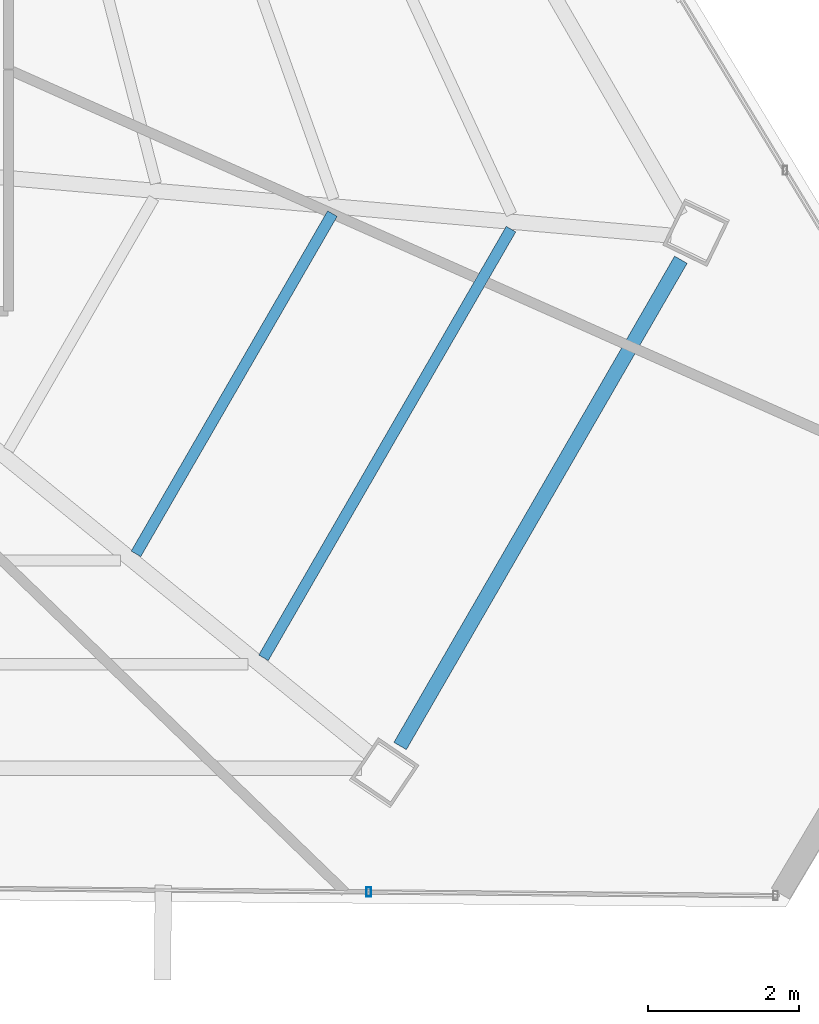
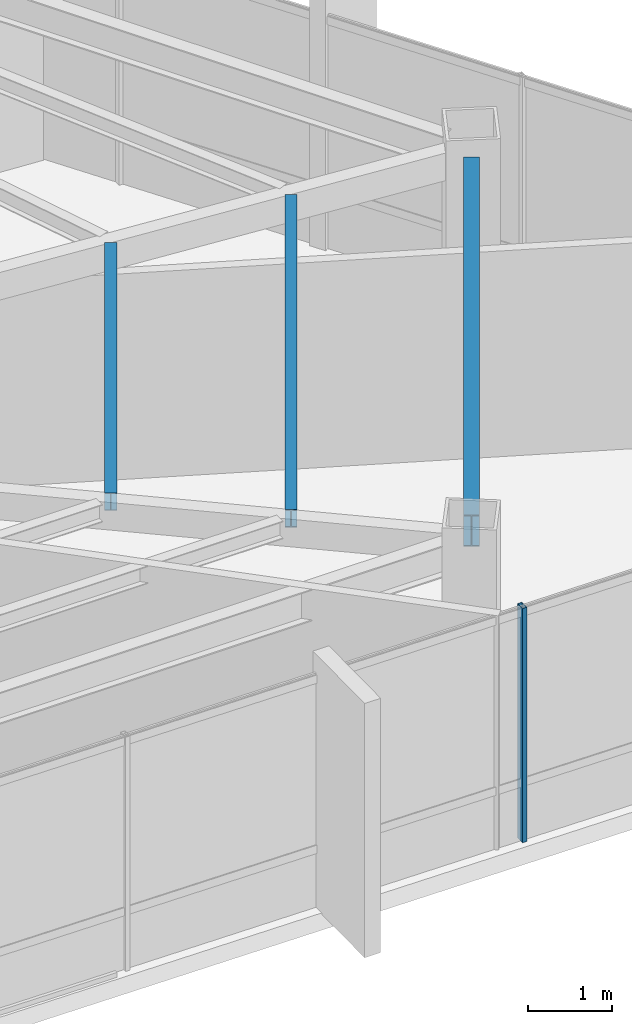
# One storey, part 21 of 42: 3 beams, 1 member, 1 element without a shape of its own.
"""IFC4 building model written with IfcOpenShell, lengths in metres."""

import ifcopenshell
import ifcopenshell.guid

model = None  # the IFC model being written
_history = None  # IfcOwnerHistory: only IFC2X3 demands one
_inside = {}  # id of a spatial element -> (the spatial element, [elements in it])
_under = {}  # id of a project, library or spatial element -> (it, [spatial elements below it])
_declared = {}  # id of a project -> (the project, [libraries it declares])
_typed = {}  # id of a type object -> (the type object, [elements of that type])
_made_of = {}  # id of a material, layer set ... -> (it, [elements and type objects made of it])


def new_model(schema):
    """Start an empty IFC model of exactly this schema.

    Asked for "IFC4X3", IfcOpenShell would pick the latest addendum, in which some entities
    have other attributes; the version numbers below select the first issue.
    IFC2X3 requires an IfcOwnerHistory on every rooted entity: one is made here for all.
    """
    global model, _history
    if schema == "IFC4X3":
        model = ifcopenshell.file(schema_version=(4, 3, 0, 0))
    else:
        model = ifcopenshell.file(schema=schema)
    _inside.clear()
    _under.clear()
    _declared.clear()
    _typed.clear()
    _made_of.clear()
    _history = None
    if model.schema == "IFC2X3":
        org = make("IfcOrganization", Name="unknown")
        user = make(
            "IfcPersonAndOrganization",
            ThePerson=make("IfcPerson", FamilyName="unknown"),
            TheOrganization=org,
        )
        app = make(
            "IfcApplication",
            ApplicationDeveloper=org,
            Version="unknown",
            ApplicationFullName="unknown",
            ApplicationIdentifier="unknown",
        )
        _history = make(
            "IfcOwnerHistory",
            OwningUser=user,
            OwningApplication=app,
            ChangeAction="ADDED",
            CreationDate=0,
        )
    return model


def make(cls, **values):
    """One entity of the class cls with the attributes given. An attribute that is None is left unset."""
    return model.create_entity(
        cls, **{name: value for name, value in values.items() if value is not None}
    )


def rooted(cls, **values):
    """An entity with a GlobalId (a new one), such as an element, a storey or a relation."""
    return make(cls, GlobalId=ifcopenshell.guid.new(), OwnerHistory=_history, **values)


def si_unit(unit_type, name, prefix=None):
    """IfcSIUnit, for example si_unit("LENGTHUNIT", "METRE", prefix="MILLI")."""
    return make("IfcSIUnit", UnitType=unit_type, Prefix=prefix, Name=name)


def assignment(units):
    """IfcUnitAssignment: the units of a project."""
    return None if units is None else make("IfcUnitAssignment", Units=units)


def point(xyz):
    """IfcCartesianPoint."""
    return None if xyz is None else make("IfcCartesianPoint", Coordinates=xyz)


def direction(xyz):
    """IfcDirection."""
    return None if xyz is None else make("IfcDirection", DirectionRatios=xyz)


def frame(location, z_axis=None, x_axis=None):
    """IfcAxis2Placement3D, a coordinate frame: its origin and axes. An axis left out is left unset."""
    return make(
        "IfcAxis2Placement3D",
        Location=point(location),
        Axis=direction(z_axis),
        RefDirection=direction(x_axis),
    )


def frame_2d(location, x_axis=None):
    """IfcAxis2Placement2D, a coordinate frame in the plane: its origin and x axis."""
    return make(
        "IfcAxis2Placement2D", Location=point(location), RefDirection=direction(x_axis)
    )


def origin():
    """The frame at (0, 0, 0) with its axes left unset."""
    return frame((0.0, 0.0, 0.0))


def origin_2d():
    """The frame at (0, 0) in the plane with its x axis left unset."""
    return frame_2d((0.0, 0.0))


def place(relative_to, where):
    """IfcLocalPlacement: puts the frame where relative to a parent placement (None: the world)."""
    return make(
        "IfcLocalPlacement", PlacementRelTo=relative_to, RelativePlacement=where
    )


def context(
    kind, dimensions, precision=None, world=None, true_north=None, identifier=None
):
    """IfcGeometricRepresentationContext, for example the 3D "Model" context."""
    return make(
        "IfcGeometricRepresentationContext",
        ContextIdentifier=identifier,
        ContextType=kind,
        CoordinateSpaceDimension=dimensions,
        Precision=precision,
        WorldCoordinateSystem=world,
        TrueNorth=true_north,
    )


def subcontext(parent, identifier, kind, view, scale=None):
    """IfcGeometricRepresentationSubContext, for example "Body" below "Model"."""
    return make(
        "IfcGeometricRepresentationSubContext",
        ContextIdentifier=identifier,
        ContextType=kind,
        ParentContext=parent,
        TargetScale=scale,
        TargetView=view,
    )


def project(units=None, contexts=None):
    """IfcProject with its units and contexts."""
    return rooted(
        "IfcProject",
        Name="project",
        RepresentationContexts=contexts,
        UnitsInContext=assignment(units),
    )


def spatial(cls, under=None, at=None, **own):
    """A site, building, storey or space (cls), placed at a placement, below another one or the project."""
    s = rooted(cls, ObjectPlacement=at, **own)
    if under is not None:
        _under.setdefault(under.id(), (under, []))[1].append(s)
    return s


def profile(cls, at=None, kind="AREA", **sizes):
    """A parametric profile (cls). Its sizes go by their IFC names, for example OverallWidth=200.0."""
    return make(cls, ProfileType=kind, Position=at, **sizes)


def hollow_rectangle(**sizes):
    """IfcRectangleHollowProfileDef."""
    return profile("IfcRectangleHollowProfileDef", **sizes)


def i_section(**sizes):
    """IfcIShapeProfileDef."""
    return profile("IfcIShapeProfileDef", **sizes)


def extrude(swept, where, along, depth):
    """IfcExtrudedAreaSolid: the profile swept, set in the frame where, extruded along a direction by depth."""
    return make(
        "IfcExtrudedAreaSolid",
        SweptArea=swept,
        Position=where,
        ExtrudedDirection=direction(along),
        Depth=depth,
    )


def shape(context_of_items, identifier, shape_type, items):
    """IfcShapeRepresentation: the items that make up one representation, for example the "Body"."""
    return make(
        "IfcShapeRepresentation",
        ContextOfItems=context_of_items,
        RepresentationIdentifier=identifier,
        RepresentationType=shape_type,
        Items=items,
    )


def source(mapping_origin, context_of_items, identifier, shape_type, items):
    """IfcRepresentationMap: a shape defined once, which mapped items show again and again."""
    return make(
        "IfcRepresentationMap",
        MappingOrigin=mapping_origin,
        MappedRepresentation=shape(context_of_items, identifier, shape_type, items),
    )


def transform(
    local_origin,
    x_axis=None,
    y_axis=None,
    z_axis=None,
    scale=None,
    scale2=None,
    scale3=None,
    uniform=True,
):
    """IfcCartesianTransformationOperator3D, or its non-uniform kind. x_axis, y_axis, z_axis: its Axis1, 2, 3."""
    if uniform:
        return make(
            "IfcCartesianTransformationOperator3D",
            Axis1=direction(x_axis),
            Axis2=direction(y_axis),
            LocalOrigin=point(local_origin),
            Scale=scale,
            Axis3=direction(z_axis),
        )
    return make(
        "IfcCartesianTransformationOperator3DnonUniform",
        Axis1=direction(x_axis),
        Axis2=direction(y_axis),
        LocalOrigin=point(local_origin),
        Scale=scale,
        Axis3=direction(z_axis),
        Scale2=scale2,
        Scale3=scale3,
    )


def mapped(mapping_source, mapping_target):
    """IfcMappedItem: shows the shape of a source again, moved by a transform."""
    return make(
        "IfcMappedItem", MappingSource=mapping_source, MappingTarget=mapping_target
    )


def material(Name=None, Category=None):
    """IfcMaterial."""
    return make("IfcMaterial", Name=Name, Category=Category)


def material_profile(
    of_material, cross_section, Name=None, Category=None, Priority=None
):
    """IfcMaterialProfile: a cross section and its material."""
    return make(
        "IfcMaterialProfile",
        Name=Name,
        Material=of_material,
        Profile=cross_section,
        Priority=Priority,
        Category=Category,
    )


def profile_set(profiles, Name=None, composite=None):
    """IfcMaterialProfileSet."""
    return make(
        "IfcMaterialProfileSet",
        Name=Name,
        MaterialProfiles=profiles,
        CompositeProfile=composite,
    )


def made_of(thing, what):
    """Note that an element or type object is made of a material, layer set ...; save() writes the relation."""
    if what is not None:
        _made_of.setdefault(what.id(), (what, []))[1].append(thing)
    return thing


def type_object(cls, material=None, **own):
    """A type object (cls), such as IfcWallType, which elements share."""
    return made_of(rooted(cls, **own), material)


def type_shapes(of_type, sources):
    """Give a type object the sources (RepresentationMaps) that its elements show as mapped items."""
    of_type.RepresentationMaps = sources


def element(
    cls,
    number,
    at=None,
    inside=None,
    cuts=None,
    type_object=None,
    material=None,
    context=None,
    identifier="Body",
    shape_type=None,
    held_by="IfcProductDefinitionShape",
    body=None,
    shapes=None,
    **own,
):
    """One element of the class cls, such as IfcWall. Its Tag is "e" and its number.

    at: its placement. inside: the storey or other place that contains it. cuts: it is an
    opening in that element (IfcRelVoidsElement). A single representation is given by context,
    identifier, shape_type and body (its items); several are given by shapes. held_by: the class
    of the entity that holds the representations. save() writes the other relations.
    """
    e = rooted(cls, Tag="e%d" % number, ObjectPlacement=at, **own)
    if body is not None:
        shapes = [shape(context, identifier, shape_type, body)]
    if shapes is not None:
        e.Representation = make(held_by, Representations=shapes)
    if inside is not None:
        _inside.setdefault(inside.id(), (inside, []))[1].append(e)
    if cuts is not None:
        rooted(
            "IfcRelVoidsElement", RelatingBuildingElement=cuts, RelatedOpeningElement=e
        )
    if type_object is not None:
        _typed.setdefault(type_object.id(), (type_object, []))[1].append(e)
    return made_of(e, material)


def aggregate(whole, parts):
    """IfcRelAggregates: a whole, such as a stair, and the parts it consists of."""
    return rooted("IfcRelAggregates", RelatingObject=whole, RelatedObjects=parts)


def save(model, path):
    """Write the relations noted so far, then the file.

    IfcRelAggregates (storeys below a building ...), IfcRelContainedInSpatialStructure (elements
    in a storey), IfcRelDefinesByType, IfcRelAssociatesMaterial and IfcRelDeclares: one each for
    every whole, place, type object, material and project.
    """
    for whole, parts in _under.values():
        aggregate(whole, parts)
    for where, things in _inside.values():
        rooted(
            "IfcRelContainedInSpatialStructure",
            RelatedElements=things,
            RelatingStructure=where,
        )
    for kind, things in _typed.values():
        rooted("IfcRelDefinesByType", RelatedObjects=things, RelatingType=kind)
    for what, things in _made_of.values():
        rooted("IfcRelAssociatesMaterial", RelatedObjects=things, RelatingMaterial=what)
    for by, libraries in _declared.values():
        rooted("IfcRelDeclares", RelatingContext=by, RelatedDefinitions=libraries)
    model.write(path)


model = new_model("IFC4")

# Units and contexts
model_context = context("Model", 3, precision=1e-05, world=origin(), true_north=direction((0.0, 1.0)))
body_context = subcontext(model_context, "Body", "Model", "MODEL_VIEW")
ifc_project = project(units=[si_unit("LENGTHUNIT", "METRE"), si_unit("AREAUNIT", "SQUARE_METRE"), si_unit("VOLUMEUNIT", "CUBIC_METRE"), si_unit("PLANEANGLEUNIT", "RADIAN"), si_unit("MASSUNIT", "GRAM", prefix="KILO")], contexts=[model_context])

# Site, building, storey
site_placement = place(None, origin())
site = spatial("IfcSite", under=ifc_project, at=site_placement, CompositionType="ELEMENT")
building_placement = place(site_placement, origin())
building = spatial("IfcBuilding", under=site, at=building_placement, Name="Caelisora Broadcast Tower", CompositionType="ELEMENT")
storey_placement = place(building_placement, frame((0.0, 0.0, 244.449951171875)))
storey = spatial("IfcBuildingStorey", under=building, at=storey_placement, Name="L64", CompositionType="ELEMENT", Elevation=244.449951171875)

# Beams
ifc_material_1 = material(Name="Steel Grade 350 (AS/NZS 3679.1)", Category="steel")
ifc_material_profile_1 = material_profile(ifc_material_1, i_section(OverallWidth=0.19091796875, OverallDepth=0.46044921875, WebThickness=0.010009765625, FlangeThickness=0.01611328125, at=origin_2d()), Name="Steel Grade 350 (AS/NZS 3679.1)")
ifc_profile_set_1 = profile_set([ifc_material_profile_1], Name="Steel Grade 350 (AS/NZS 3679.1)")
beam_type_1 = type_object("IfcBeamType", Name="PG06", PredefinedType="BEAM", material=ifc_profile_set_1)
shared_shape_1 = source(origin(), body_context, "Body", "SweptSolid", [
    extrude(i_section(OverallWidth=0.19091796875, OverallDepth=0.46044921875, WebThickness=0.010009765625, FlangeThickness=0.01611328125, at=origin_2d()), origin(), (0.0, 0.0, 1.0), 7.41259765625),
])
type_shapes(beam_type_1, [shared_shape_1])
beam_1_placement = place(storey_placement, frame((55.77099609375, 9.460205078125, 3.169921875), z_axis=(0.500003755259, 0.866023235674, 0.0), x_axis=(-0.866023235674, 0.500003755259, 0.0)))
element("IfcBeam", 1, at=beam_1_placement, inside=storey, type_object=beam_type_1, Name="L64 beam PG06", PredefinedType="BEAM", context=body_context, shape_type="MappedRepresentation", body=[
    mapped(shared_shape_1, transform((0.0, 0.0, 0.0), scale=1.0)),
])
ifc_material_profile_2 = material_profile(ifc_material_1, i_section(OverallWidth=0.14599609375, OverallDepth=0.256103515625, WebThickness=0.00634765625, FlangeThickness=0.010986328125, at=origin_2d()), Name="Steel Grade 350 (AS/NZS 3679.1)")
ifc_profile_set_2 = profile_set([ifc_material_profile_2], Name="Steel Grade 350 (AS/NZS 3679.1)")
beam_type_2 = type_object("IfcBeamType", Name="SB04", PredefinedType="JOIST", material=ifc_profile_set_2)
shared_shape_2 = source(origin(), body_context, "Body", "SweptSolid", [
    extrude(i_section(OverallWidth=0.14599609375, OverallDepth=0.256103515625, WebThickness=0.00634765625, FlangeThickness=0.010986328125, at=origin_2d()), origin(), (0.0, 0.0, 1.0), 5.1865234375),
])
beam_2_placement = place(storey_placement, frame((52.283935546875, 11.996826171875, 3.27197265625), z_axis=(0.499996813733, 0.866027243369, 0.0), x_axis=(-0.866027243369, 0.499996813733, 0.0)))
element("IfcBeam", 2, at=beam_2_placement, inside=storey, type_object=beam_type_2, Name="L64 beam SB04", PredefinedType="JOIST", context=body_context, shape_type="MappedRepresentation", body=[
    mapped(shared_shape_2, transform((0.0, 0.0, 0.0), scale=1.0)),
])
shared_shape_3 = source(origin(), body_context, "Body", "SweptSolid", [
    extrude(i_section(OverallWidth=0.14599609375, OverallDepth=0.256103515625, WebThickness=0.00634765625, FlangeThickness=0.010986328125, at=origin_2d()), origin(), (0.0, 0.0, 1.0), 6.53466796875),
])
type_shapes(beam_type_2, [shared_shape_2, shared_shape_3])
beam_3_placement = place(storey_placement, frame((53.967529296875, 10.624755859375, 3.27197265625), z_axis=(0.500000581714, 0.866025067932, 0.0), x_axis=(-0.866025067932, 0.500000581714, 0.0)))
element("IfcBeam", 3, at=beam_3_placement, inside=storey, type_object=beam_type_2, Name="L64 beam SB04", PredefinedType="JOIST", context=body_context, shape_type="MappedRepresentation", body=[
    mapped(shared_shape_3, transform((0.0, 0.0, 0.0), scale=1.0)),
])

# Curtain wall, member
ifc_material_2 = material(Name="Unitised Aluminium and Low-E Glass Curtain Wall", Category="glass")
curtain_wall_type = type_object("IfcCurtainWallType", Name="CW-Z5", PredefinedType="NOTDEFINED", material=ifc_material_2)
curtain_wall_placement = place(storey_placement, origin())
curtain_wall = element("IfcCurtainWall", 4, at=curtain_wall_placement, inside=storey, type_object=curtain_wall_type, Name="L64 curtain wall CW-Z5", PredefinedType="NOTDEFINED")
ifc_material_3 = material(Name="Aluminium 6063-T6 Anodised Terracotta Bronze", Category="aluminium")
ifc_material_profile_3 = material_profile(ifc_material_3, hollow_rectangle(XDim=0.06005859375, YDim=0.1201171875, WallThickness=0.0029296875, at=origin_2d()), Name="Aluminium 6063-T6 Anodised Terracotta Bronze")
ifc_profile_set_3 = profile_set([ifc_material_profile_3], Name="Aluminium 6063-T6 Anodised Terracotta Bronze")
member_type = type_object("IfcMemberType", Name="CWM-04", PredefinedType="MULLION", material=ifc_profile_set_3)
shared_shape_4 = source(origin(), body_context, "Body", "SweptSolid", [
    extrude(hollow_rectangle(XDim=0.06005859375, YDim=0.1201171875, WallThickness=0.0029296875, at=origin_2d()), origin(), (0.0, 0.0, 1.0), 3.400146484375),
])
type_shapes(member_type, [shared_shape_4])
member_placement = place(storey_placement, frame((55.356689453125, 7.53271484375, 0.0), z_axis=(0.0, 0.0, 1.0), x_axis=(1.0, 0.0, 0.0)))
member = element("IfcMember", 5, at=member_placement, type_object=member_type, Name="L64-CW-B05 mullion #1", PredefinedType="MULLION", context=body_context, shape_type="MappedRepresentation", body=[
    mapped(shared_shape_4, transform((0.0, 0.0, 0.0), scale=1.0)),
])
aggregate(curtain_wall, [member])

save(model, "model.ifc")
